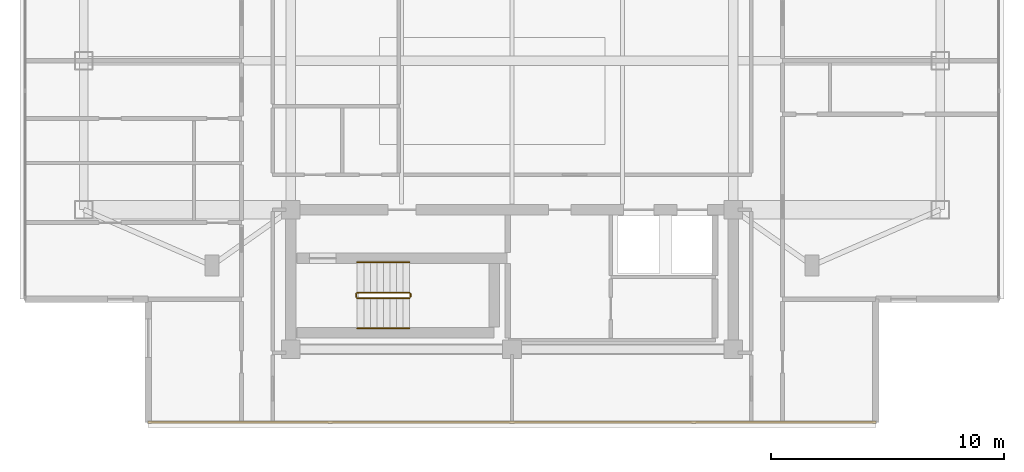
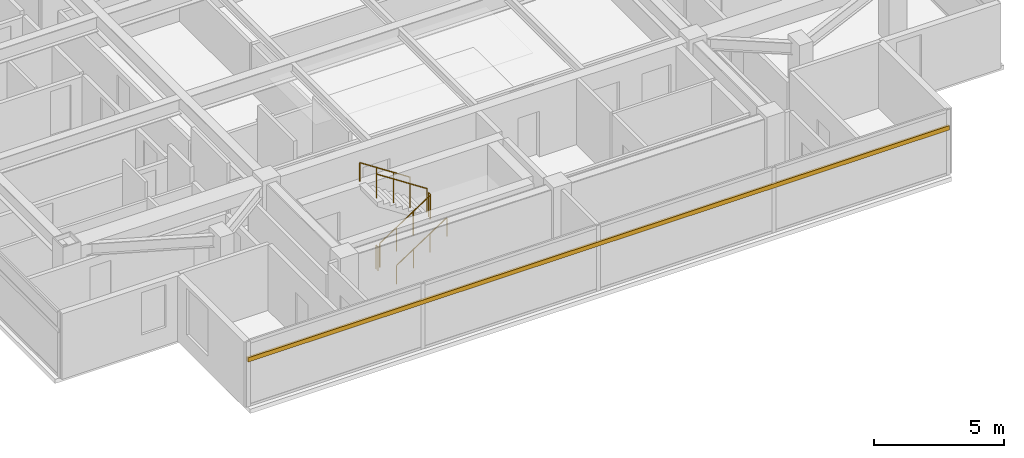
# One storey, part 12 of 15: 6 railings, 1 shading device.
"""IFC4 building model written with IfcOpenShell, lengths in metres."""

from ifc_helpers import new_model, si_unit, direction, frame, origin, origin_2d, place, context, subcontext, project, spatial, rectangle, circle, extrude, material, material_profile, profile_set, type_object, element, save


model = new_model("IFC4")

# Units and contexts
model_context = context("Model", 3, precision=1e-05, world=origin(), true_north=direction((0.0, 1.0)))
body_context = subcontext(model_context, "Body", "Model", "MODEL_VIEW")
ifc_project = project(units=[si_unit("LENGTHUNIT", "METRE"), si_unit("AREAUNIT", "SQUARE_METRE"), si_unit("VOLUMEUNIT", "CUBIC_METRE"), si_unit("PLANEANGLEUNIT", "RADIAN"), si_unit("MASSUNIT", "GRAM", prefix="KILO")], contexts=[model_context])

# Site, building, storey
site_placement = place(None, origin())
site = spatial("IfcSite", under=ifc_project, at=site_placement, CompositionType="ELEMENT")
building_placement = place(site_placement, origin())
building = spatial("IfcBuilding", under=site, at=building_placement, Name="Mirazonda Arch Towers", CompositionType="ELEMENT")
storey_placement = place(building_placement, frame((0.0, 0.0, 229.300048828125)))
storey = spatial("IfcBuildingStorey", under=building, at=storey_placement, Name="L65", CompositionType="ELEMENT", Elevation=229.300048828125)

# Shading device
ifc_material_1 = material(Name="Kiln-Fired Architectural Terracotta", Category="masonry")
ifc_material_profile = material_profile(ifc_material_1, rectangle(XDim=0.10009765625, YDim=0.199951171875, at=origin_2d()), Name="TERRA-BAG-100x200")
ifc_profile_set = profile_set([ifc_material_profile], Name="Kiln-Fired Architectural Terracotta")
shading_device_type = type_object("IfcShadingDeviceType", Name="BAGUETTE-2", PredefinedType="USERDEFINED", material=ifc_profile_set)
shading_device_placement = place(storey_placement, frame((36.1298828125, 9.26611328125, 2.217529296875), z_axis=(-1.0, 0.0, 0.0), x_axis=(0.0, -1.0, 0.0)))
element("IfcShadingDevice", 1, at=shading_device_placement, inside=storey, type_object=shading_device_type, Name="L65 Glazed Terracotta Sun-Screen Baguette CW-L65-T1-S", ObjectType="BAGUETTE", PredefinedType="USERDEFINED", context=body_context, shape_type="SweptSolid", body=[
    extrude(rectangle(XDim=0.10009765625, YDim=0.199951171875, at=origin_2d()), origin(), (0.0, 0.0, 1.0), 31.259765625),
])

# Railings
ifc_material_2 = material(Name="Architectural Brushed Steel S355", Category="steel")
railing_type_1 = type_object("IfcRailingType", Name="GUARD-STAIR-1120", PredefinedType="GUARDRAIL", material=ifc_material_2)
railing_1_placement = place(storey_placement, frame((13.85009765625, 14.60009765625, 0.183349609375)))
element("IfcRailing", 2, at=railing_1_placement, inside=storey, type_object=railing_type_1, Name="L65 ST-T1S stair guard 1", PredefinedType="GUARDRAIL", context=body_context, shape_type="SweptSolid", body=[
    extrude(circle(Radius=0.02392578125, at=origin_2d()), frame((0.0, 0.0, 1.1259765625), z_axis=(0.836636935527, 0.0, 0.547757827979), x_axis=(0.0, 1.0, 0.0)), (0.0, 0.0, 1.0), 2.677490234375),
    extrude(circle(Radius=0.02099609375, at=origin_2d()), origin(), (0.0, 0.0, 1.0), 1.101806640625),
    extrude(circle(Radius=0.02099609375, at=origin_2d()), frame((0.74658203125, 0.0, 0.48876953125)), (0.0, 0.0, 1.0), 1.101806640625),
    extrude(circle(Radius=0.02099609375, at=origin_2d()), frame((1.493408203125, 0.0, 0.977783203125)), (0.0, 0.0, 1.0), 1.101806640625),
    extrude(circle(Radius=0.02099609375, at=origin_2d()), frame((2.239990234375, 0.0, 1.466552734375)), (0.0, 0.0, 1.0), 1.101806640625),
])
railing_2_placement = place(storey_placement, frame((16.139892578125, 14.64990234375, 1.64990234375)))
element("IfcRailing", 3, at=railing_2_placement, inside=storey, type_object=railing_type_1, Name="L65 ST-T1S stair guard 2", PredefinedType="GUARDRAIL", context=body_context, shape_type="SweptSolid", body=[
    extrude(circle(Radius=0.02392578125, at=origin_2d()), frame((0.0, 0.0, 1.1259765625), z_axis=(0.0, 1.0, 0.0), x_axis=(-1.0, 0.0, 0.0)), (0.0, 0.0, 1.0), 0.14013671875),
    extrude(circle(Radius=0.02099609375, at=origin_2d()), origin(), (0.0, 0.0, 1.0), 1.101806640625),
    extrude(circle(Radius=0.02099609375, at=origin_2d()), frame((0.0, 0.14013671875, 0.0)), (0.0, 0.0, 1.0), 1.101806640625),
])
railing_3_placement = place(storey_placement, frame((16.090087890625, 14.840087890625, 1.833251953125)))
element("IfcRailing", 4, at=railing_3_placement, inside=storey, type_object=railing_type_1, Name="L65 ST-T1S stair guard 3", PredefinedType="GUARDRAIL", context=body_context, shape_type="SweptSolid", body=[
    extrude(circle(Radius=0.02392578125, at=origin_2d()), frame((0.0, 0.0, 1.1259765625), z_axis=(-0.836595146698, 0.0, 0.547821650285), x_axis=(0.0, -1.0, 0.0)), (0.0, 0.0, 1.0), 2.677490234375),
    extrude(circle(Radius=0.02099609375, at=origin_2d()), origin(), (0.0, 0.0, 1.0), 1.101806640625),
    extrude(circle(Radius=0.02099609375, at=origin_2d()), frame((-0.74658203125, 0.0, 0.489013671875)), (0.0, 0.0, 1.0), 1.101806640625),
    extrude(circle(Radius=0.02099609375, at=origin_2d()), frame((-1.493408203125, 0.0, 0.977783203125)), (0.0, 0.0, 1.0), 1.101806640625),
    extrude(circle(Radius=0.02099609375, at=origin_2d()), frame((-2.239990234375, 0.0, 1.466796875)), (0.0, 0.0, 1.0), 1.101806640625),
])
railing_4_placement = place(storey_placement, frame((13.800048828125, 14.64990234375, 0.0)))
element("IfcRailing", 5, at=railing_4_placement, inside=storey, type_object=railing_type_1, Name="L65 ST-T1S stair guard 4", PredefinedType="GUARDRAIL", context=body_context, shape_type="SweptSolid", body=[
    extrude(circle(Radius=0.02392578125, at=origin_2d()), frame((0.0, 0.0, 1.1259765625), z_axis=(0.0, 1.0, 0.0), x_axis=(-1.0, 0.0, 0.0)), (0.0, 0.0, 1.0), 0.14013671875),
    extrude(circle(Radius=0.02099609375, at=origin_2d()), origin(), (0.0, 0.0, 1.0), 1.101806640625),
    extrude(circle(Radius=0.02099609375, at=origin_2d()), frame((0.0, 0.14013671875, 0.0)), (0.0, 0.0, 1.0), 1.101806640625),
])
railing_type_2 = type_object("IfcRailingType", Name="HANDRAIL-915", PredefinedType="HANDRAIL", material=ifc_material_2)
railing_5_placement = place(storey_placement, frame((13.85009765625, 13.300048828125, 0.183349609375)))
element("IfcRailing", 6, at=railing_5_placement, inside=storey, type_object=railing_type_2, Name="L65 ST-T1S stair handrail 1", PredefinedType="HANDRAIL", context=body_context, shape_type="SweptSolid", body=[
    extrude(circle(Radius=0.02392578125, at=origin_2d()), frame((0.0, 0.0, 0.8759765625), z_axis=(0.836636935527, 0.0, 0.547757827979), x_axis=(0.0, 1.0, 0.0)), (0.0, 0.0, 1.0), 2.677490234375),
    extrude(circle(Radius=0.02099609375, at=origin_2d()), origin(), (0.0, 0.0, 1.0), 0.851806640625),
    extrude(circle(Radius=0.02099609375, at=origin_2d()), frame((0.74658203125, 0.0, 0.48876953125)), (0.0, 0.0, 1.0), 0.851806640625),
    extrude(circle(Radius=0.02099609375, at=origin_2d()), frame((1.493408203125, 0.0, 0.977783203125)), (0.0, 0.0, 1.0), 0.851806640625),
    extrude(circle(Radius=0.02099609375, at=origin_2d()), frame((2.239990234375, 0.0, 1.466552734375)), (0.0, 0.0, 1.0), 0.851806640625),
])
railing_6_placement = place(storey_placement, frame((16.090087890625, 16.139892578125, 1.833251953125)))
element("IfcRailing", 7, at=railing_6_placement, inside=storey, type_object=railing_type_2, Name="L65 ST-T1S stair handrail 2", PredefinedType="HANDRAIL", context=body_context, shape_type="SweptSolid", body=[
    extrude(circle(Radius=0.02392578125, at=origin_2d()), frame((0.0, 0.0, 0.8759765625), z_axis=(-0.836595146698, 0.0, 0.547821650285), x_axis=(0.0, -1.0, 0.0)), (0.0, 0.0, 1.0), 2.677490234375),
    extrude(circle(Radius=0.02099609375, at=origin_2d()), origin(), (0.0, 0.0, 1.0), 0.851806640625),
    extrude(circle(Radius=0.02099609375, at=origin_2d()), frame((-0.74658203125, 0.0, 0.489013671875)), (0.0, 0.0, 1.0), 0.851806640625),
    extrude(circle(Radius=0.02099609375, at=origin_2d()), frame((-1.493408203125, 0.0, 0.977783203125)), (0.0, 0.0, 1.0), 0.851806640625),
    extrude(circle(Radius=0.02099609375, at=origin_2d()), frame((-2.239990234375, 0.0, 1.466796875)), (0.0, 0.0, 1.0), 0.851806640625),
])

save(model, "model.ifc")
